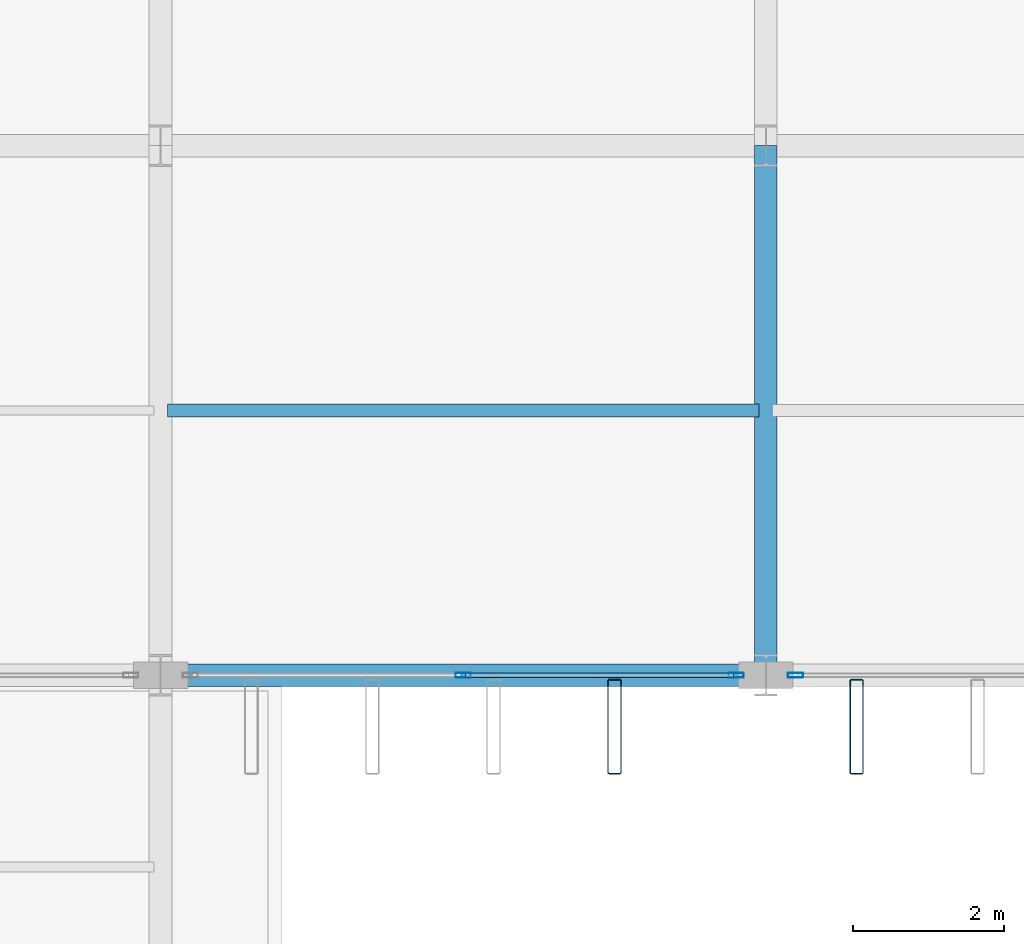
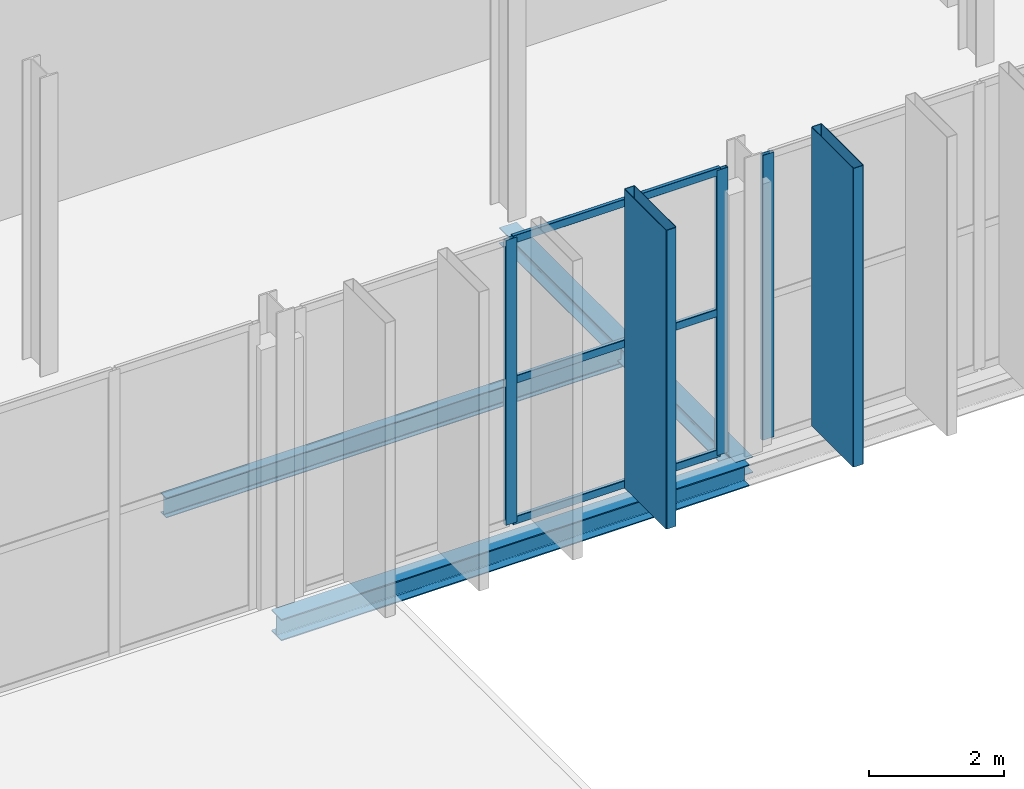
# One storey, part 41 of 147: 8 members, 3 beams, 2 elements without a shape of their own.
"""IFC4 building model written with IfcOpenShell, lengths in metres."""

import ifcopenshell
import ifcopenshell.guid

model = None  # the IFC model being written
_history = None  # IfcOwnerHistory: only IFC2X3 demands one
_inside = {}  # id of a spatial element -> (the spatial element, [elements in it])
_under = {}  # id of a project, library or spatial element -> (it, [spatial elements below it])
_declared = {}  # id of a project -> (the project, [libraries it declares])
_typed = {}  # id of a type object -> (the type object, [elements of that type])
_made_of = {}  # id of a material, layer set ... -> (it, [elements and type objects made of it])


def new_model(schema):
    """Start an empty IFC model of exactly this schema.

    Asked for "IFC4X3", IfcOpenShell would pick the latest addendum, in which some entities
    have other attributes; the version numbers below select the first issue.
    IFC2X3 requires an IfcOwnerHistory on every rooted entity: one is made here for all.
    """
    global model, _history
    if schema == "IFC4X3":
        model = ifcopenshell.file(schema_version=(4, 3, 0, 0))
    else:
        model = ifcopenshell.file(schema=schema)
    _inside.clear()
    _under.clear()
    _declared.clear()
    _typed.clear()
    _made_of.clear()
    _history = None
    if model.schema == "IFC2X3":
        org = make("IfcOrganization", Name="unknown")
        user = make(
            "IfcPersonAndOrganization",
            ThePerson=make("IfcPerson", FamilyName="unknown"),
            TheOrganization=org,
        )
        app = make(
            "IfcApplication",
            ApplicationDeveloper=org,
            Version="unknown",
            ApplicationFullName="unknown",
            ApplicationIdentifier="unknown",
        )
        _history = make(
            "IfcOwnerHistory",
            OwningUser=user,
            OwningApplication=app,
            ChangeAction="ADDED",
            CreationDate=0,
        )
    return model


def make(cls, **values):
    """One entity of the class cls with the attributes given. An attribute that is None is left unset."""
    return model.create_entity(
        cls, **{name: value for name, value in values.items() if value is not None}
    )


def rooted(cls, **values):
    """An entity with a GlobalId (a new one), such as an element, a storey or a relation."""
    return make(cls, GlobalId=ifcopenshell.guid.new(), OwnerHistory=_history, **values)


def si_unit(unit_type, name, prefix=None):
    """IfcSIUnit, for example si_unit("LENGTHUNIT", "METRE", prefix="MILLI")."""
    return make("IfcSIUnit", UnitType=unit_type, Prefix=prefix, Name=name)


def assignment(units):
    """IfcUnitAssignment: the units of a project."""
    return None if units is None else make("IfcUnitAssignment", Units=units)


def point(xyz):
    """IfcCartesianPoint."""
    return None if xyz is None else make("IfcCartesianPoint", Coordinates=xyz)


def direction(xyz):
    """IfcDirection."""
    return None if xyz is None else make("IfcDirection", DirectionRatios=xyz)


def frame(location, z_axis=None, x_axis=None):
    """IfcAxis2Placement3D, a coordinate frame: its origin and axes. An axis left out is left unset."""
    return make(
        "IfcAxis2Placement3D",
        Location=point(location),
        Axis=direction(z_axis),
        RefDirection=direction(x_axis),
    )


def frame_2d(location, x_axis=None):
    """IfcAxis2Placement2D, a coordinate frame in the plane: its origin and x axis."""
    return make(
        "IfcAxis2Placement2D", Location=point(location), RefDirection=direction(x_axis)
    )


def origin():
    """The frame at (0, 0, 0) with its axes left unset."""
    return frame((0.0, 0.0, 0.0))


def origin_2d():
    """The frame at (0, 0) in the plane with its x axis left unset."""
    return frame_2d((0.0, 0.0))


def place(relative_to, where):
    """IfcLocalPlacement: puts the frame where relative to a parent placement (None: the world)."""
    return make(
        "IfcLocalPlacement", PlacementRelTo=relative_to, RelativePlacement=where
    )


def context(
    kind, dimensions, precision=None, world=None, true_north=None, identifier=None
):
    """IfcGeometricRepresentationContext, for example the 3D "Model" context."""
    return make(
        "IfcGeometricRepresentationContext",
        ContextIdentifier=identifier,
        ContextType=kind,
        CoordinateSpaceDimension=dimensions,
        Precision=precision,
        WorldCoordinateSystem=world,
        TrueNorth=true_north,
    )


def subcontext(parent, identifier, kind, view, scale=None):
    """IfcGeometricRepresentationSubContext, for example "Body" below "Model"."""
    return make(
        "IfcGeometricRepresentationSubContext",
        ContextIdentifier=identifier,
        ContextType=kind,
        ParentContext=parent,
        TargetScale=scale,
        TargetView=view,
    )


def project(units=None, contexts=None):
    """IfcProject with its units and contexts."""
    return rooted(
        "IfcProject",
        Name="project",
        RepresentationContexts=contexts,
        UnitsInContext=assignment(units),
    )


def spatial(cls, under=None, at=None, **own):
    """A site, building, storey or space (cls), placed at a placement, below another one or the project."""
    s = rooted(cls, ObjectPlacement=at, **own)
    if under is not None:
        _under.setdefault(under.id(), (under, []))[1].append(s)
    return s


def profile(cls, at=None, kind="AREA", **sizes):
    """A parametric profile (cls). Its sizes go by their IFC names, for example OverallWidth=200.0."""
    return make(cls, ProfileType=kind, Position=at, **sizes)


def hollow_rectangle(**sizes):
    """IfcRectangleHollowProfileDef."""
    return profile("IfcRectangleHollowProfileDef", **sizes)


def i_section(**sizes):
    """IfcIShapeProfileDef."""
    return profile("IfcIShapeProfileDef", **sizes)


def extrude(swept, where, along, depth):
    """IfcExtrudedAreaSolid: the profile swept, set in the frame where, extruded along a direction by depth."""
    return make(
        "IfcExtrudedAreaSolid",
        SweptArea=swept,
        Position=where,
        ExtrudedDirection=direction(along),
        Depth=depth,
    )


def shape(context_of_items, identifier, shape_type, items):
    """IfcShapeRepresentation: the items that make up one representation, for example the "Body"."""
    return make(
        "IfcShapeRepresentation",
        ContextOfItems=context_of_items,
        RepresentationIdentifier=identifier,
        RepresentationType=shape_type,
        Items=items,
    )


def material(Name=None, Category=None):
    """IfcMaterial."""
    return make("IfcMaterial", Name=Name, Category=Category)


def layer(
    of_material, thickness, ventilated=None, Name=None, Category=None, Priority=None
):
    """IfcMaterialLayer: one layer of a wall or slab, of a material (None: an air gap)."""
    return make(
        "IfcMaterialLayer",
        Material=of_material,
        LayerThickness=thickness,
        IsVentilated=ventilated,
        Name=Name,
        Category=Category,
        Priority=Priority,
    )


def layer_set(layers, Name=None):
    """IfcMaterialLayerSet."""
    return make("IfcMaterialLayerSet", MaterialLayers=layers, LayerSetName=Name)


def material_profile(
    of_material, cross_section, Name=None, Category=None, Priority=None
):
    """IfcMaterialProfile: a cross section and its material."""
    return make(
        "IfcMaterialProfile",
        Name=Name,
        Material=of_material,
        Profile=cross_section,
        Priority=Priority,
        Category=Category,
    )


def profile_set(profiles, Name=None, composite=None):
    """IfcMaterialProfileSet."""
    return make(
        "IfcMaterialProfileSet",
        Name=Name,
        MaterialProfiles=profiles,
        CompositeProfile=composite,
    )


def made_of(thing, what):
    """Note that an element or type object is made of a material, layer set ...; save() writes the relation."""
    if what is not None:
        _made_of.setdefault(what.id(), (what, []))[1].append(thing)
    return thing


def type_object(cls, material=None, **own):
    """A type object (cls), such as IfcWallType, which elements share."""
    return made_of(rooted(cls, **own), material)


def element(
    cls,
    number,
    at=None,
    inside=None,
    cuts=None,
    type_object=None,
    material=None,
    context=None,
    identifier="Body",
    shape_type=None,
    held_by="IfcProductDefinitionShape",
    body=None,
    shapes=None,
    **own,
):
    """One element of the class cls, such as IfcWall. Its Tag is "e" and its number.

    at: its placement. inside: the storey or other place that contains it. cuts: it is an
    opening in that element (IfcRelVoidsElement). A single representation is given by context,
    identifier, shape_type and body (its items); several are given by shapes. held_by: the class
    of the entity that holds the representations. save() writes the other relations.
    """
    e = rooted(cls, Tag="e%d" % number, ObjectPlacement=at, **own)
    if body is not None:
        shapes = [shape(context, identifier, shape_type, body)]
    if shapes is not None:
        e.Representation = make(held_by, Representations=shapes)
    if inside is not None:
        _inside.setdefault(inside.id(), (inside, []))[1].append(e)
    if cuts is not None:
        rooted(
            "IfcRelVoidsElement", RelatingBuildingElement=cuts, RelatedOpeningElement=e
        )
    if type_object is not None:
        _typed.setdefault(type_object.id(), (type_object, []))[1].append(e)
    return made_of(e, material)


def aggregate(whole, parts):
    """IfcRelAggregates: a whole, such as a stair, and the parts it consists of."""
    return rooted("IfcRelAggregates", RelatingObject=whole, RelatedObjects=parts)


def save(model, path):
    """Write the relations noted so far, then the file.

    IfcRelAggregates (storeys below a building ...), IfcRelContainedInSpatialStructure (elements
    in a storey), IfcRelDefinesByType, IfcRelAssociatesMaterial and IfcRelDeclares: one each for
    every whole, place, type object, material and project.
    """
    for whole, parts in _under.values():
        aggregate(whole, parts)
    for where, things in _inside.values():
        rooted(
            "IfcRelContainedInSpatialStructure",
            RelatedElements=things,
            RelatingStructure=where,
        )
    for kind, things in _typed.values():
        rooted("IfcRelDefinesByType", RelatedObjects=things, RelatingType=kind)
    for what, things in _made_of.values():
        rooted("IfcRelAssociatesMaterial", RelatedObjects=things, RelatingMaterial=what)
    for by, libraries in _declared.values():
        rooted("IfcRelDeclares", RelatingContext=by, RelatedDefinitions=libraries)
    model.write(path)


model = new_model("IFC4")

# Units and contexts
model_context = context("Model", 3, precision=1e-05, world=origin(), true_north=direction((0.0, 1.0)))
body_context = subcontext(model_context, "Body", "Model", "MODEL_VIEW")
ifc_project = project(units=[si_unit("LENGTHUNIT", "METRE"), si_unit("AREAUNIT", "SQUARE_METRE"), si_unit("VOLUMEUNIT", "CUBIC_METRE"), si_unit("PLANEANGLEUNIT", "RADIAN"), si_unit("MASSUNIT", "GRAM", prefix="KILO")], contexts=[model_context])

# Site, building, storey
site_placement = place(None, origin())
site = spatial("IfcSite", under=ifc_project, at=site_placement, CompositionType="ELEMENT")
building_placement = place(site_placement, origin())
building = spatial("IfcBuilding", under=site, at=building_placement, Name="Vekula Escarpment Museum", CompositionType="ELEMENT")
storey_placement = place(building_placement, frame((0.0, 0.0, 7.800048828125)))
storey = spatial("IfcBuildingStorey", under=building, at=storey_placement, Name="L02", CompositionType="ELEMENT", Elevation=7.800048828125)

# Beams
ifc_material_1 = material(Name="Steel S355", Category="steel")
ifc_material_profile_1 = material_profile(ifc_material_1, i_section(OverallWidth=0.169921875, OverallDepth=0.360107421875, WebThickness=0.008056640625, FlangeThickness=0.0126953125, FilletRadius=0.01806640625, at=origin_2d()), Name="IPE 360")
ifc_profile_set_1 = profile_set([ifc_material_profile_1], Name="Steel S355")
beam_type_1 = type_object("IfcBeamType", Name="BM-JST-IPE360", PredefinedType="JOIST", material=ifc_profile_set_1)
beam_1_placement = place(storey_placement, frame((102.090087890625, 49.10009765625, -0.43994140625), z_axis=(1.0, 0.0, 0.0), x_axis=(0.0, 1.0, 0.0)))
element("IfcBeam", 1, at=beam_1_placement, inside=storey, type_object=beam_type_1, Name="Secondary Joist L02 0796", PredefinedType="JOIST", context=body_context, shape_type="SweptSolid", body=[
    extrude(i_section(OverallWidth=0.169921875, OverallDepth=0.360107421875, WebThickness=0.008056640625, FlangeThickness=0.0126953125, FilletRadius=0.01806640625, at=origin_2d()), origin(), (0.0, 0.0, 1.0), 7.81982421875),
])
ifc_material_2 = material(Name="Steel S355", Category="steel")
ifc_material_profile_2 = material_profile(ifc_material_2, i_section(OverallWidth=0.300048828125, OverallDepth=0.2900390625, WebThickness=0.008544921875, FlangeThickness=0.013916015625, FilletRadius=0.027099609375, at=origin_2d()), Name="HEA 300")
ifc_profile_set_2 = profile_set([ifc_material_profile_2], Name="Steel S355")
beam_type_2 = type_object("IfcBeamType", Name="BM-SPAN-HEA300", PredefinedType="SPANDREL", material=ifc_profile_set_2)
beam_2_placement = place(storey_placement, frame((110.0, 45.60009765625, -0.405029296875), z_axis=(0.0, 1.0, 0.0), x_axis=(-1.0, 0.0, 0.0)))
element("IfcBeam", 2, at=beam_2_placement, inside=storey, type_object=beam_type_2, Name="Beam Y L02 1186", PredefinedType="SPANDREL", context=body_context, shape_type="SweptSolid", body=[
    extrude(i_section(OverallWidth=0.300048828125, OverallDepth=0.2900390625, WebThickness=0.008544921875, FlangeThickness=0.013916015625, FilletRadius=0.027099609375, at=origin_2d()), origin(), (0.0, 0.0, 1.0), 7.0),
])
ifc_material_3 = material(Name="Steel S355", Category="steel")
ifc_material_profile_3 = material_profile(ifc_material_3, i_section(OverallWidth=0.300048828125, OverallDepth=0.389892578125, WebThickness=0.010986328125, FlangeThickness=0.01904296875, FilletRadius=0.027099609375, at=origin_2d()), Name="HEA 400")
ifc_profile_set_3 = profile_set([ifc_material_profile_3], Name="Steel S355")
beam_type_3 = type_object("IfcBeamType", Name="BM-SPAN-HEA400", PredefinedType="SPANDREL", material=ifc_profile_set_3)
beam_3_placement = place(storey_placement, frame((102.0, 45.60009765625, -0.455078125), z_axis=(1.0, 0.0, 0.0), x_axis=(0.0, 1.0, 0.0)))
element("IfcBeam", 3, at=beam_3_placement, inside=storey, type_object=beam_type_3, Name="Beam X L02 0848", PredefinedType="SPANDREL", context=body_context, shape_type="SweptSolid", body=[
    extrude(i_section(OverallWidth=0.300048828125, OverallDepth=0.389892578125, WebThickness=0.010986328125, FlangeThickness=0.01904296875, FilletRadius=0.027099609375, at=origin_2d()), origin(), (0.0, 0.0, 1.0), 8.0),
])

# Curtain wall, members
ifc_material_4 = material(Name="Aluminium thermally broken framing", Category="aluminium")
ifc_layer_1 = layer(ifc_material_4, 0.179931640625)
ifc_layer_set_1 = layer_set([ifc_layer_1], Name="Aluminium thermally broken framing")
curtain_wall_type_1 = type_object("IfcCurtainWallType", Name="CW-SYS-07", PredefinedType="NOTDEFINED", material=ifc_layer_set_1)
curtain_wall_1_placement = place(storey_placement, origin())
curtain_wall_1 = element("IfcCurtainWall", 4, at=curtain_wall_1_placement, inside=storey, type_object=curtain_wall_type_1, Name="Curtain Wall CW-L02-057", PredefinedType="NOTDEFINED")
ifc_material_5 = material(Name="Aluminium anodized mullion", Category="aluminium")
ifc_material_profile_4 = material_profile(ifc_material_5, hollow_rectangle(XDim=0.06494140625, YDim=0.199951171875, WallThickness=0.00390625, InnerFilletRadius=0.00390625, OuterFilletRadius=0.008056640625, at=origin_2d()), Name="ALU 200x65x4")
ifc_profile_set_4 = profile_set([ifc_material_profile_4], Name="Aluminium anodized mullion")
member_type_1 = type_object("IfcMemberType", Name="CW-MUL-200", PredefinedType="MULLION", material=ifc_profile_set_4)
member_1_placement = place(storey_placement, frame((106.0, 45.60009765625, 0.0), z_axis=(0.0, 0.0, 1.0), x_axis=(0.0, 1.0, 0.0)))
member_1 = element("IfcMember", 5, at=member_1_placement, type_object=member_type_1, Name="CW-07 mullion 2", PredefinedType="MULLION", context=body_context, shape_type="SweptSolid", body=[
    extrude(hollow_rectangle(XDim=0.06494140625, YDim=0.199951171875, WallThickness=0.00390625, InnerFilletRadius=0.00390625, OuterFilletRadius=0.008056640625, at=origin_2d()), origin(), (0.0, 0.0, 1.0), 5.14990234375),
])
member_2_placement = place(storey_placement, frame((109.607421875, 45.60009765625, 0.0), z_axis=(0.0, 0.0, 1.0), x_axis=(0.0, 1.0, 0.0)))
member_2 = element("IfcMember", 6, at=member_2_placement, type_object=member_type_1, Name="CW-07 mullion 3", PredefinedType="MULLION", context=body_context, shape_type="SweptSolid", body=[
    extrude(hollow_rectangle(XDim=0.06494140625, YDim=0.199951171875, WallThickness=0.00390625, InnerFilletRadius=0.00390625, OuterFilletRadius=0.008056640625, at=origin_2d()), origin(), (0.0, 0.0, 1.0), 5.14990234375),
])

# Curtain wall, member
ifc_material_6 = material(Name="Aluminium thermally broken framing", Category="aluminium")
ifc_layer_2 = layer(ifc_material_6, 0.179931640625)
ifc_layer_set_2 = layer_set([ifc_layer_2], Name="Aluminium thermally broken framing")
curtain_wall_type_2 = type_object("IfcCurtainWallType", Name="CW-SYS-08", PredefinedType="NOTDEFINED", material=ifc_layer_set_2)
curtain_wall_2_placement = place(storey_placement, origin())
curtain_wall_2 = element("IfcCurtainWall", 7, at=curtain_wall_2_placement, inside=storey, type_object=curtain_wall_type_2, Name="Curtain Wall CW-L02-058", PredefinedType="NOTDEFINED")
member_3_placement = place(storey_placement, frame((110.392578125, 45.60009765625, 0.0), z_axis=(0.0, 0.0, 1.0), x_axis=(0.0, 1.0, 0.0)))
member_3 = element("IfcMember", 8, at=member_3_placement, type_object=member_type_1, Name="CW-08 mullion 1", PredefinedType="MULLION", context=body_context, shape_type="SweptSolid", body=[
    extrude(hollow_rectangle(XDim=0.06494140625, YDim=0.199951171875, WallThickness=0.00390625, InnerFilletRadius=0.00390625, OuterFilletRadius=0.008056640625, at=origin_2d()), origin(), (0.0, 0.0, 1.0), 5.14990234375),
])
aggregate(curtain_wall_2, [member_3])

# Member
ifc_material_7 = material(Name="Aluminium anodized transom", Category="aluminium")
ifc_material_profile_5 = material_profile(ifc_material_7, hollow_rectangle(XDim=0.06494140625, YDim=0.139892578125, WallThickness=0.00390625, InnerFilletRadius=0.00390625, OuterFilletRadius=0.008056640625, at=origin_2d()), Name="ALU 140x65x4")
ifc_profile_set_5 = profile_set([ifc_material_profile_5], Name="Aluminium anodized transom")
member_type_2 = type_object("IfcMemberType", Name="CW-TRN-140", PredefinedType="USERDEFINED", material=ifc_profile_set_5)
member_4_placement = place(storey_placement, frame((106.032470703125, 45.60009765625, 0.032470703125), z_axis=(1.0, 0.0, 0.0), x_axis=(0.0, 1.0, 0.0)))
member_4 = element("IfcMember", 9, at=member_4_placement, type_object=member_type_2, Name="CW-07 transom 2.1", ObjectType="TRANSOM", PredefinedType="USERDEFINED", context=body_context, shape_type="SweptSolid", body=[
    extrude(hollow_rectangle(XDim=0.06494140625, YDim=0.139892578125, WallThickness=0.00390625, InnerFilletRadius=0.00390625, OuterFilletRadius=0.008056640625, at=origin_2d()), origin(), (0.0, 0.0, 1.0), 3.54248046875),
])

member_5_placement = place(storey_placement, frame((106.032470703125, 45.60009765625, 2.574951171875), z_axis=(1.0, 0.0, 0.0), x_axis=(0.0, 1.0, 0.0)))
member_5 = element("IfcMember", 10, at=member_5_placement, type_object=member_type_2, Name="CW-07 transom 2.2", ObjectType="TRANSOM", PredefinedType="USERDEFINED", context=body_context, shape_type="SweptSolid", body=[
    extrude(hollow_rectangle(XDim=0.06494140625, YDim=0.139892578125, WallThickness=0.00390625, InnerFilletRadius=0.00390625, OuterFilletRadius=0.008056640625, at=origin_2d()), origin(), (0.0, 0.0, 1.0), 3.54248046875),
])

member_6_placement = place(storey_placement, frame((106.032470703125, 45.60009765625, 5.117431640625), z_axis=(1.0, 0.0, 0.0), x_axis=(0.0, 1.0, 0.0)))
member_6 = element("IfcMember", 11, at=member_6_placement, type_object=member_type_2, Name="CW-07 transom 2.3", ObjectType="TRANSOM", PredefinedType="USERDEFINED", context=body_context, shape_type="SweptSolid", body=[
    extrude(hollow_rectangle(XDim=0.06494140625, YDim=0.139892578125, WallThickness=0.00390625, InnerFilletRadius=0.00390625, OuterFilletRadius=0.008056640625, at=origin_2d()), origin(), (0.0, 0.0, 1.0), 3.54248046875),
])

aggregate(curtain_wall_1, [member_1, member_2, member_4, member_5, member_6])

# Members
ifc_material_8 = material(Name="Steel S355 weathered bronze solar fin", Category="steel")
ifc_material_profile_6 = material_profile(ifc_material_8, hollow_rectangle(XDim=0.179931640625, YDim=1.25, WallThickness=0.010009765625, InnerFilletRadius=0.010009765625, OuterFilletRadius=0.02001953125, at=origin_2d()), Name="RHS 1250x180x10")
ifc_profile_set_6 = profile_set([ifc_material_profile_6], Name="Steel S355 weathered bronze solar fin")
member_type_3 = type_object("IfcMemberType", Name="MB-SOLAR-FIN", PredefinedType="USERDEFINED", material=ifc_profile_set_6)
for number, where, z_axis, x_axis, name in (
    (12, (108.0, 44.919921875, 0.0), (0.0, 0.0, 1.0), (1.0, 0.0, 0.0), "Great Hall Vertical Solar Fin 0082"),
    (13, (111.199951171875, 44.919921875, 0.0), (0.0, 0.0, 1.0), (1.0, 0.0, 0.0), "Great Hall Vertical Solar Fin 0087"),
):
    element("IfcMember", number, at=place(storey_placement, frame(where, z_axis=z_axis, x_axis=x_axis)), inside=storey, type_object=member_type_3, Name=name, ObjectType="SOLAR FIN", PredefinedType="USERDEFINED", context=body_context, shape_type="SweptSolid", body=[
        extrude(hollow_rectangle(XDim=0.179931640625, YDim=1.25, WallThickness=0.010009765625, InnerFilletRadius=0.010009765625, OuterFilletRadius=0.02001953125, at=origin_2d()), origin(), (0.0, 0.0, 1.0), 5.39990234375),
    ])

save(model, "model.ifc")
